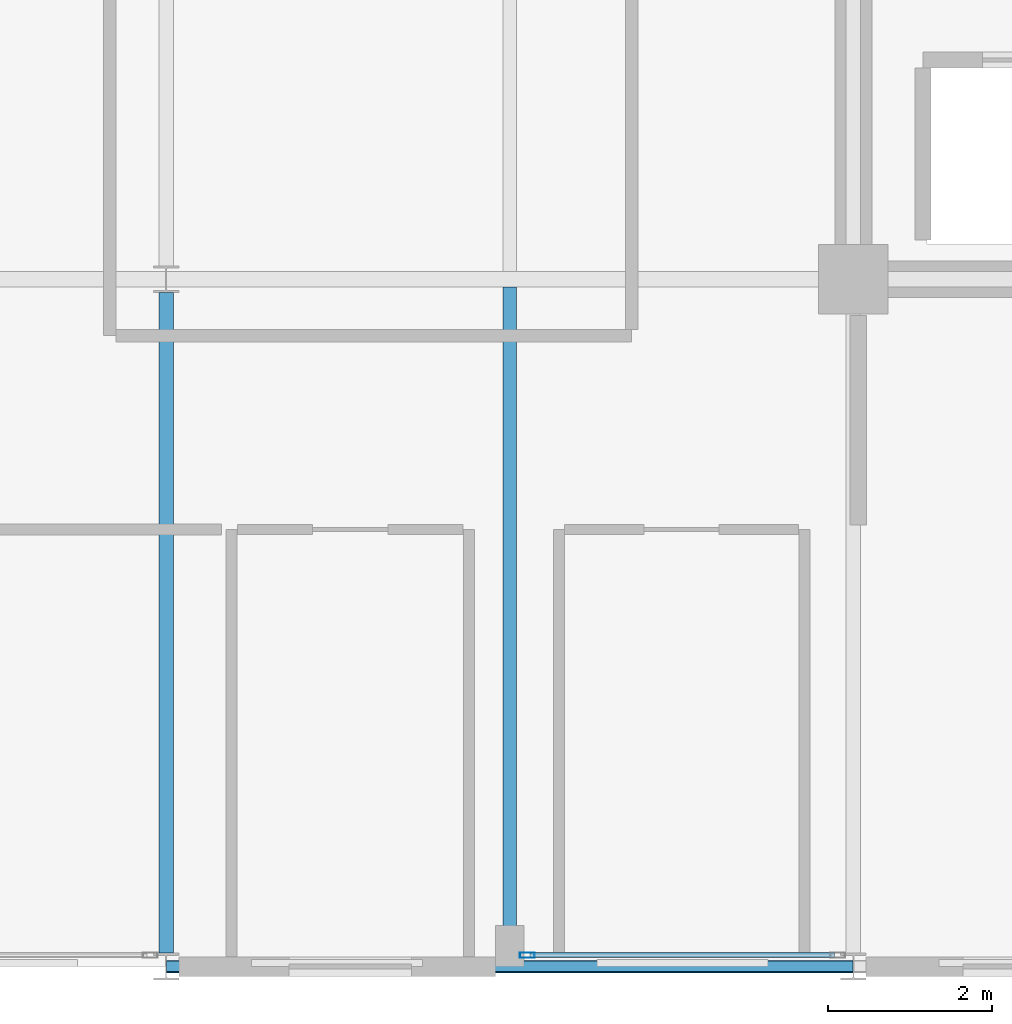
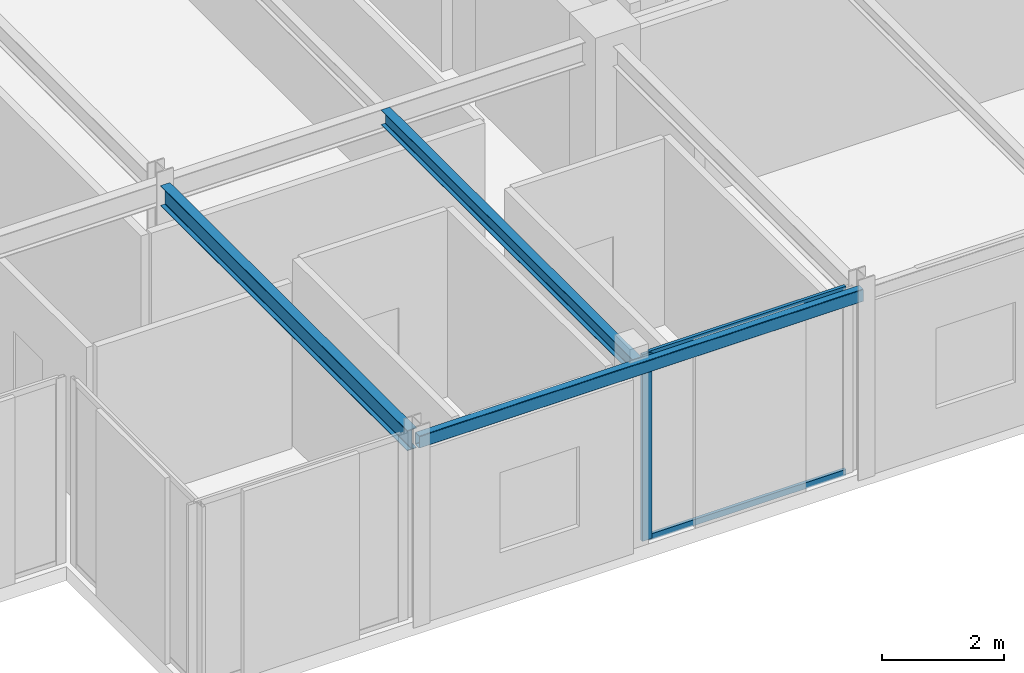
# One storey, part 4 of 26: 3 beams, 3 members, 1 element without a shape of its own.
"""IFC4 building model written with IfcOpenShell, lengths in metres."""

import ifcopenshell
import ifcopenshell.guid

model = None  # the IFC model being written
_history = None  # IfcOwnerHistory: only IFC2X3 demands one
_inside = {}  # id of a spatial element -> (the spatial element, [elements in it])
_under = {}  # id of a project, library or spatial element -> (it, [spatial elements below it])
_declared = {}  # id of a project -> (the project, [libraries it declares])
_typed = {}  # id of a type object -> (the type object, [elements of that type])
_made_of = {}  # id of a material, layer set ... -> (it, [elements and type objects made of it])


def new_model(schema):
    """Start an empty IFC model of exactly this schema.

    Asked for "IFC4X3", IfcOpenShell would pick the latest addendum, in which some entities
    have other attributes; the version numbers below select the first issue.
    IFC2X3 requires an IfcOwnerHistory on every rooted entity: one is made here for all.
    """
    global model, _history
    if schema == "IFC4X3":
        model = ifcopenshell.file(schema_version=(4, 3, 0, 0))
    else:
        model = ifcopenshell.file(schema=schema)
    _inside.clear()
    _under.clear()
    _declared.clear()
    _typed.clear()
    _made_of.clear()
    _history = None
    if model.schema == "IFC2X3":
        org = make("IfcOrganization", Name="unknown")
        user = make(
            "IfcPersonAndOrganization",
            ThePerson=make("IfcPerson", FamilyName="unknown"),
            TheOrganization=org,
        )
        app = make(
            "IfcApplication",
            ApplicationDeveloper=org,
            Version="unknown",
            ApplicationFullName="unknown",
            ApplicationIdentifier="unknown",
        )
        _history = make(
            "IfcOwnerHistory",
            OwningUser=user,
            OwningApplication=app,
            ChangeAction="ADDED",
            CreationDate=0,
        )
    return model


def make(cls, **values):
    """One entity of the class cls with the attributes given. An attribute that is None is left unset."""
    return model.create_entity(
        cls, **{name: value for name, value in values.items() if value is not None}
    )


def rooted(cls, **values):
    """An entity with a GlobalId (a new one), such as an element, a storey or a relation."""
    return make(cls, GlobalId=ifcopenshell.guid.new(), OwnerHistory=_history, **values)


def si_unit(unit_type, name, prefix=None):
    """IfcSIUnit, for example si_unit("LENGTHUNIT", "METRE", prefix="MILLI")."""
    return make("IfcSIUnit", UnitType=unit_type, Prefix=prefix, Name=name)


def assignment(units):
    """IfcUnitAssignment: the units of a project."""
    return None if units is None else make("IfcUnitAssignment", Units=units)


def point(xyz):
    """IfcCartesianPoint."""
    return None if xyz is None else make("IfcCartesianPoint", Coordinates=xyz)


def direction(xyz):
    """IfcDirection."""
    return None if xyz is None else make("IfcDirection", DirectionRatios=xyz)


def frame(location, z_axis=None, x_axis=None):
    """IfcAxis2Placement3D, a coordinate frame: its origin and axes. An axis left out is left unset."""
    return make(
        "IfcAxis2Placement3D",
        Location=point(location),
        Axis=direction(z_axis),
        RefDirection=direction(x_axis),
    )


def frame_2d(location, x_axis=None):
    """IfcAxis2Placement2D, a coordinate frame in the plane: its origin and x axis."""
    return make(
        "IfcAxis2Placement2D", Location=point(location), RefDirection=direction(x_axis)
    )


def origin():
    """The frame at (0, 0, 0) with its axes left unset."""
    return frame((0.0, 0.0, 0.0))


def origin_2d():
    """The frame at (0, 0) in the plane with its x axis left unset."""
    return frame_2d((0.0, 0.0))


def place(relative_to, where):
    """IfcLocalPlacement: puts the frame where relative to a parent placement (None: the world)."""
    return make(
        "IfcLocalPlacement", PlacementRelTo=relative_to, RelativePlacement=where
    )


def context(
    kind, dimensions, precision=None, world=None, true_north=None, identifier=None
):
    """IfcGeometricRepresentationContext, for example the 3D "Model" context."""
    return make(
        "IfcGeometricRepresentationContext",
        ContextIdentifier=identifier,
        ContextType=kind,
        CoordinateSpaceDimension=dimensions,
        Precision=precision,
        WorldCoordinateSystem=world,
        TrueNorth=true_north,
    )


def subcontext(parent, identifier, kind, view, scale=None):
    """IfcGeometricRepresentationSubContext, for example "Body" below "Model"."""
    return make(
        "IfcGeometricRepresentationSubContext",
        ContextIdentifier=identifier,
        ContextType=kind,
        ParentContext=parent,
        TargetScale=scale,
        TargetView=view,
    )


def project(units=None, contexts=None):
    """IfcProject with its units and contexts."""
    return rooted(
        "IfcProject",
        Name="project",
        RepresentationContexts=contexts,
        UnitsInContext=assignment(units),
    )


def spatial(cls, under=None, at=None, **own):
    """A site, building, storey or space (cls), placed at a placement, below another one or the project."""
    s = rooted(cls, ObjectPlacement=at, **own)
    if under is not None:
        _under.setdefault(under.id(), (under, []))[1].append(s)
    return s


def profile(cls, at=None, kind="AREA", **sizes):
    """A parametric profile (cls). Its sizes go by their IFC names, for example OverallWidth=200.0."""
    return make(cls, ProfileType=kind, Position=at, **sizes)


def hollow_rectangle(**sizes):
    """IfcRectangleHollowProfileDef."""
    return profile("IfcRectangleHollowProfileDef", **sizes)


def i_section(**sizes):
    """IfcIShapeProfileDef."""
    return profile("IfcIShapeProfileDef", **sizes)


def extrude(swept, where, along, depth):
    """IfcExtrudedAreaSolid: the profile swept, set in the frame where, extruded along a direction by depth."""
    return make(
        "IfcExtrudedAreaSolid",
        SweptArea=swept,
        Position=where,
        ExtrudedDirection=direction(along),
        Depth=depth,
    )


def shape(context_of_items, identifier, shape_type, items):
    """IfcShapeRepresentation: the items that make up one representation, for example the "Body"."""
    return make(
        "IfcShapeRepresentation",
        ContextOfItems=context_of_items,
        RepresentationIdentifier=identifier,
        RepresentationType=shape_type,
        Items=items,
    )


def material(Name=None, Category=None):
    """IfcMaterial."""
    return make("IfcMaterial", Name=Name, Category=Category)


def layer(
    of_material, thickness, ventilated=None, Name=None, Category=None, Priority=None
):
    """IfcMaterialLayer: one layer of a wall or slab, of a material (None: an air gap)."""
    return make(
        "IfcMaterialLayer",
        Material=of_material,
        LayerThickness=thickness,
        IsVentilated=ventilated,
        Name=Name,
        Category=Category,
        Priority=Priority,
    )


def layer_set(layers, Name=None):
    """IfcMaterialLayerSet."""
    return make("IfcMaterialLayerSet", MaterialLayers=layers, LayerSetName=Name)


def material_profile(
    of_material, cross_section, Name=None, Category=None, Priority=None
):
    """IfcMaterialProfile: a cross section and its material."""
    return make(
        "IfcMaterialProfile",
        Name=Name,
        Material=of_material,
        Profile=cross_section,
        Priority=Priority,
        Category=Category,
    )


def profile_set(profiles, Name=None, composite=None):
    """IfcMaterialProfileSet."""
    return make(
        "IfcMaterialProfileSet",
        Name=Name,
        MaterialProfiles=profiles,
        CompositeProfile=composite,
    )


def made_of(thing, what):
    """Note that an element or type object is made of a material, layer set ...; save() writes the relation."""
    if what is not None:
        _made_of.setdefault(what.id(), (what, []))[1].append(thing)
    return thing


def type_object(cls, material=None, **own):
    """A type object (cls), such as IfcWallType, which elements share."""
    return made_of(rooted(cls, **own), material)


def element(
    cls,
    number,
    at=None,
    inside=None,
    cuts=None,
    type_object=None,
    material=None,
    context=None,
    identifier="Body",
    shape_type=None,
    held_by="IfcProductDefinitionShape",
    body=None,
    shapes=None,
    **own,
):
    """One element of the class cls, such as IfcWall. Its Tag is "e" and its number.

    at: its placement. inside: the storey or other place that contains it. cuts: it is an
    opening in that element (IfcRelVoidsElement). A single representation is given by context,
    identifier, shape_type and body (its items); several are given by shapes. held_by: the class
    of the entity that holds the representations. save() writes the other relations.
    """
    e = rooted(cls, Tag="e%d" % number, ObjectPlacement=at, **own)
    if body is not None:
        shapes = [shape(context, identifier, shape_type, body)]
    if shapes is not None:
        e.Representation = make(held_by, Representations=shapes)
    if inside is not None:
        _inside.setdefault(inside.id(), (inside, []))[1].append(e)
    if cuts is not None:
        rooted(
            "IfcRelVoidsElement", RelatingBuildingElement=cuts, RelatedOpeningElement=e
        )
    if type_object is not None:
        _typed.setdefault(type_object.id(), (type_object, []))[1].append(e)
    return made_of(e, material)


def aggregate(whole, parts):
    """IfcRelAggregates: a whole, such as a stair, and the parts it consists of."""
    return rooted("IfcRelAggregates", RelatingObject=whole, RelatedObjects=parts)


def save(model, path):
    """Write the relations noted so far, then the file.

    IfcRelAggregates (storeys below a building ...), IfcRelContainedInSpatialStructure (elements
    in a storey), IfcRelDefinesByType, IfcRelAssociatesMaterial and IfcRelDeclares: one each for
    every whole, place, type object, material and project.
    """
    for whole, parts in _under.values():
        aggregate(whole, parts)
    for where, things in _inside.values():
        rooted(
            "IfcRelContainedInSpatialStructure",
            RelatedElements=things,
            RelatingStructure=where,
        )
    for kind, things in _typed.values():
        rooted("IfcRelDefinesByType", RelatedObjects=things, RelatingType=kind)
    for what, things in _made_of.values():
        rooted("IfcRelAssociatesMaterial", RelatedObjects=things, RelatingMaterial=what)
    for by, libraries in _declared.values():
        rooted("IfcRelDeclares", RelatingContext=by, RelatedDefinitions=libraries)
    model.write(path)


model = new_model("IFC4")

# Units and contexts
model_context = context("Model", 3, precision=1e-05, world=origin(), true_north=direction((0.0, 1.0)))
body_context = subcontext(model_context, "Body", "Model", "MODEL_VIEW")
ifc_project = project(units=[si_unit("LENGTHUNIT", "METRE"), si_unit("AREAUNIT", "SQUARE_METRE"), si_unit("VOLUMEUNIT", "CUBIC_METRE"), si_unit("PLANEANGLEUNIT", "RADIAN"), si_unit("MASSUNIT", "GRAM", prefix="KILO")], contexts=[model_context])

# Site, building, storey
site_placement = place(None, origin())
site = spatial("IfcSite", under=ifc_project, at=site_placement, CompositionType="ELEMENT")
building_placement = place(site_placement, origin())
building = spatial("IfcBuilding", under=site, at=building_placement, Name="Nerrivon Quay Data Exchange", CompositionType="ELEMENT")
storey_placement = place(building_placement, frame((0.0, 0.0, 274.199951171875)))
storey = spatial("IfcBuildingStorey", under=building, at=storey_placement, Name="L65", CompositionType="ELEMENT", Elevation=274.199951171875)

# Beams
ifc_material_1 = material(Name="Steel Grade 350", Category="steel")
ifc_material_profile_1 = material_profile(ifc_material_1, i_section(OverallWidth=0.177978515625, OverallDepth=0.406005859375, WebThickness=0.0078125, FlangeThickness=0.0126953125, FilletRadius=0.011474609375, at=origin_2d()), Name="410UB59.7")
ifc_profile_set_1 = profile_set([ifc_material_profile_1], Name="Steel Grade 350")
beam_type_1 = type_object("IfcBeamType", Name="BM-J1-410UB60", PredefinedType="JOIST", material=ifc_profile_set_1)
beam_1_placement = place(storey_placement, frame((8.39990234375, 0.16357421875, 3.52197265625), z_axis=(0.0, 1.0, 0.0), x_axis=(-1.0, 0.0, 0.0)))
element("IfcBeam", 1, at=beam_1_placement, inside=storey, type_object=beam_type_1, Name="L65 NS Girder X=8.4 (0.0..8.4)", PredefinedType="JOIST", context=body_context, shape_type="SweptSolid", body=[
    extrude(i_section(OverallWidth=0.177978515625, OverallDepth=0.406005859375, WebThickness=0.0078125, FlangeThickness=0.0126953125, FilletRadius=0.011474609375, at=origin_2d()), origin(), (0.0, 0.0, 1.0), 8.072998046875),
])
ifc_material_profile_2 = material_profile(ifc_material_1, i_section(OverallWidth=0.1650390625, OverallDepth=0.303955078125, WebThickness=0.006103515625, FlangeThickness=0.01025390625, FilletRadius=0.011474609375, at=origin_2d()), Name="310UB40.4")
ifc_profile_set_2 = profile_set([ifc_material_profile_2], Name="Steel Grade 350")
beam_type_2 = type_object("IfcBeamType", Name="BM-J6-310UB40", PredefinedType="JOIST", material=ifc_profile_set_2)
beam_2_placement = place(storey_placement, frame((12.60009765625, 0.074951171875, 3.572998046875), z_axis=(0.0, 1.0, 0.0), x_axis=(-1.0, 0.0, 0.0)))
element("IfcBeam", 2, at=beam_2_placement, inside=storey, type_object=beam_type_2, Name="L65 Secondary Joist X=12.6 (0.0..8.4)", PredefinedType="JOIST", context=body_context, shape_type="SweptSolid", body=[
    extrude(i_section(OverallWidth=0.1650390625, OverallDepth=0.303955078125, WebThickness=0.006103515625, FlangeThickness=0.01025390625, FilletRadius=0.011474609375, at=origin_2d()), origin(), (0.0, 0.0, 1.0), 8.22998046875),
])
ifc_material_2 = material(Name="Steel Grade C350L0 (350 MPa)", Category="steel")
ifc_material_profile_3 = material_profile(ifc_material_2, hollow_rectangle(XDim=0.14990234375, YDim=0.25, WallThickness=0.009033203125, InnerFilletRadius=0.013427734375, OuterFilletRadius=0.0224609375, at=origin_2d()), Name="250x150x9.0RHS")
ifc_profile_set_3 = profile_set([ifc_material_profile_3], Name="Steel Grade C350L0 (350 MPa)")
beam_type_3 = type_object("IfcBeamType", Name="BM-SP4-250x150RHS", PredefinedType="SPANDREL", material=ifc_profile_set_3)
beam_3_placement = place(storey_placement, frame((8.40771484375, 0.0, 3.60009765625), z_axis=(1.0, 0.0, 0.0), x_axis=(0.0, 1.0, 0.0)))
element("IfcBeam", 3, at=beam_3_placement, inside=storey, type_object=beam_type_3, Name="L65 EW Girder Y=0.0 (8.4..16.8)", PredefinedType="SPANDREL", context=body_context, shape_type="SweptSolid", body=[
    extrude(hollow_rectangle(XDim=0.14990234375, YDim=0.25, WallThickness=0.009033203125, InnerFilletRadius=0.013427734375, OuterFilletRadius=0.0224609375, at=origin_2d()), origin(), (0.0, 0.0, 1.0), 8.38427734375),
])

# Curtain wall, members
ifc_material_3 = material(Name="Anodised aluminium 6063-T6", Category="aluminium")
ifc_layer = layer(ifc_material_3, 0.195068359375)
ifc_layer_set = layer_set([ifc_layer], Name="Anodised aluminium 6063-T6")
curtain_wall_type = type_object("IfcCurtainWallType", Name="CW-SYS-06", PredefinedType="NOTDEFINED", material=ifc_layer_set)
curtain_wall_placement = place(storey_placement, origin())
curtain_wall = element("IfcCurtainWall", 4, at=curtain_wall_placement, inside=storey, type_object=curtain_wall_type, Name="L65 Unitised Curtain Wall 6", PredefinedType="NOTDEFINED")
ifc_material_profile_4 = material_profile(ifc_material_3, hollow_rectangle(XDim=0.06494140625, YDim=0.179931640625, WallThickness=0.00341796875, at=origin_2d()), Name="ALU-MULL-180x65")
ifc_profile_set_4 = profile_set([ifc_material_profile_4], Name="Anodised aluminium 6063-T6")
member_type_1 = type_object("IfcMemberType", Name="CWM-180x65", PredefinedType="MULLION", material=ifc_profile_set_4)
member_1_placement = place(storey_placement, frame((12.8125, 0.139892578125, 0.0), z_axis=(0.0, 0.0, 1.0), x_axis=(0.0, -1.0, 0.0)))
member_1 = element("IfcMember", 5, at=member_1_placement, type_object=member_type_1, Name="CW06 mullion 2", PredefinedType="MULLION", context=body_context, shape_type="SweptSolid", body=[
    extrude(hollow_rectangle(XDim=0.06494140625, YDim=0.179931640625, WallThickness=0.00341796875, at=origin_2d()), origin(), (0.0, 0.0, 1.0), 3.72509765625),
])
ifc_material_profile_5 = material_profile(ifc_material_3, hollow_rectangle(XDim=0.06005859375, YDim=0.1201171875, WallThickness=0.003173828125, at=origin_2d()), Name="ALU-TRAN-120x60")
ifc_profile_set_5 = profile_set([ifc_material_profile_5], Name="Anodised aluminium 6063-T6")
member_type_2 = type_object("IfcMemberType", Name="CWT-120x60", PredefinedType="USERDEFINED", material=ifc_profile_set_5)
member_2_placement = place(storey_placement, frame((16.569580078125, 0.139892578125, 0.032470703125), z_axis=(-1.0, 0.0, 0.0), x_axis=(0.0, -1.0, 0.0)))
member_2 = element("IfcMember", 6, at=member_2_placement, type_object=member_type_2, Name="CW06 transom 1.1", ObjectType="TRANSOM", PredefinedType="USERDEFINED", context=body_context, shape_type="SweptSolid", body=[
    extrude(hollow_rectangle(XDim=0.06005859375, YDim=0.1201171875, WallThickness=0.003173828125, at=origin_2d()), origin(), (0.0, 0.0, 1.0), 3.719482421875),
])
member_3_placement = place(storey_placement, frame((16.569580078125, 0.139892578125, 3.692626953125), z_axis=(-1.0, 0.0, 0.0), x_axis=(0.0, -1.0, 0.0)))
member_3 = element("IfcMember", 7, at=member_3_placement, type_object=member_type_2, Name="CW06 transom 1.2", ObjectType="TRANSOM", PredefinedType="USERDEFINED", context=body_context, shape_type="SweptSolid", body=[
    extrude(hollow_rectangle(XDim=0.06005859375, YDim=0.1201171875, WallThickness=0.003173828125, at=origin_2d()), origin(), (0.0, 0.0, 1.0), 3.719482421875),
])
aggregate(curtain_wall, [member_1, member_2, member_3])

save(model, "model.ifc")
